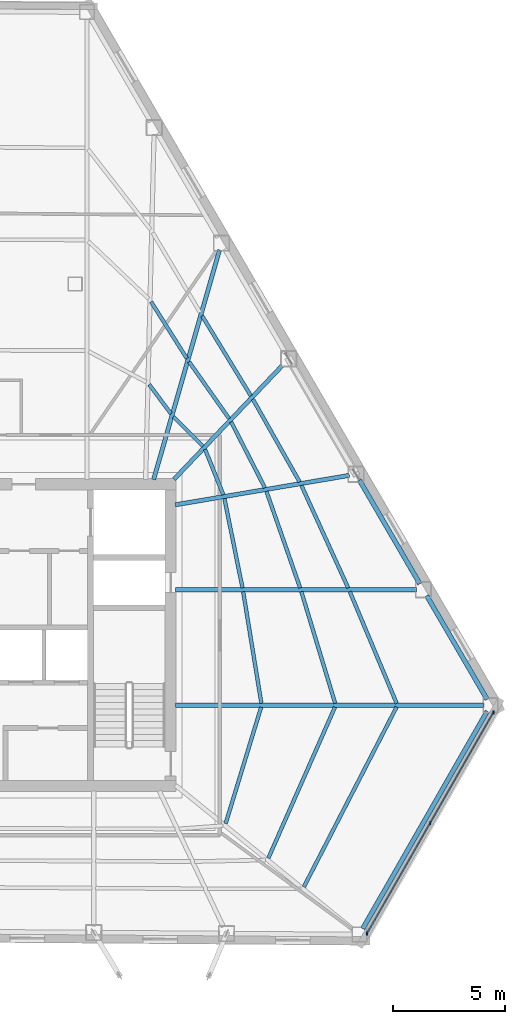
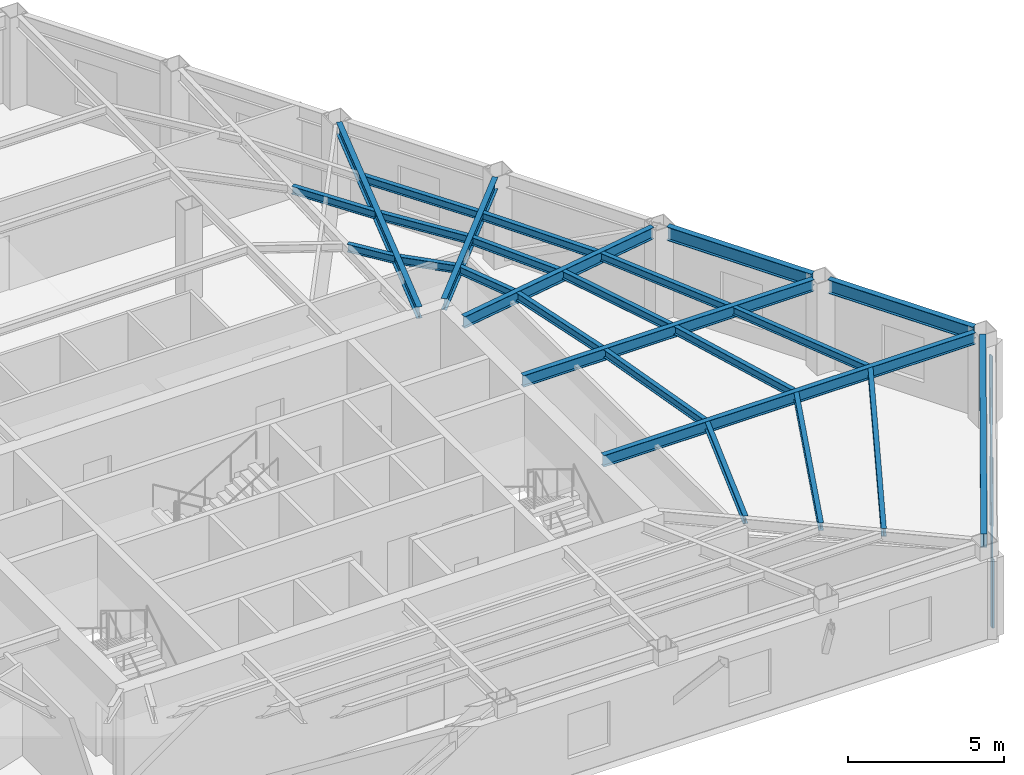
# One storey, part 3 of 13: 25 beams, 5 members, 1 element without a shape of its own.
"""IFC4 building model written with IfcOpenShell, lengths in metres."""

from ifc_helpers import new_model, si_unit, direction, frame, origin, origin_2d, place, context, subcontext, project, spatial, rectangle, i_section, extrude, material, layer, layer_set, material_profile, profile_set, type_object, element, aggregate, save


model = new_model("IFC4")

# Units and contexts
model_context = context("Model", 3, precision=1e-05, world=origin(), true_north=direction((0.0, 1.0)))
body_context = subcontext(model_context, "Body", "Model", "MODEL_VIEW")
ifc_project = project(units=[si_unit("LENGTHUNIT", "METRE"), si_unit("AREAUNIT", "SQUARE_METRE"), si_unit("VOLUMEUNIT", "CUBIC_METRE"), si_unit("PLANEANGLEUNIT", "RADIAN"), si_unit("MASSUNIT", "GRAM", prefix="KILO")], contexts=[model_context])

# Site, building, storey
site_placement = place(None, origin())
site = spatial("IfcSite", under=ifc_project, at=site_placement, CompositionType="ELEMENT")
building_placement = place(site_placement, origin())
building = spatial("IfcBuilding", under=site, at=building_placement, Name="Kavelnor Concourse Tower", CompositionType="ELEMENT")
storey_placement = place(building_placement, frame((0.0, 0.0, 116.300048828125)))
storey = spatial("IfcBuildingStorey", under=building, at=storey_placement, Name="L29", CompositionType="ELEMENT", Elevation=116.300048828125)

# Beams
ifc_material_1 = material(Name="Steel Grade 350", Category="steel")
ifc_material_profile_1 = material_profile(ifc_material_1, i_section(OverallWidth=0.166015625, OverallDepth=0.306884765625, WebThickness=0.006591796875, FlangeThickness=0.01171875, at=origin_2d()), Name="310UB46")
ifc_profile_set_1 = profile_set([ifc_material_profile_1], Name="Steel Grade 350")
beam_type_1 = type_object("IfcBeamType", Name="BM-JOIST-310", PredefinedType="JOIST", material=ifc_profile_set_1)
beam_1_placement = place(storey_placement, frame((50.22998046875, 7.6748046875, 3.446533203125), z_axis=(0.291695339911, 0.956511279951, 0.0), x_axis=(-0.956511279951, 0.291695339911, 0.0)))
element("IfcBeam", 1, at=beam_1_placement, inside=storey, type_object=beam_type_1, Name="L29 Secondary Composite Joist 08-1", PredefinedType="JOIST", context=body_context, shape_type="SweptSolid", body=[
    extrude(i_section(OverallWidth=0.166015625, OverallDepth=0.306884765625, WebThickness=0.006591796875, FlangeThickness=0.01171875, at=origin_2d()), origin(), (0.0, 0.0, 1.0), 5.44189453125),
])
beam_2_placement = place(storey_placement, frame((52.138916015625, 6.12939453125, 3.446533203125), z_axis=(0.403623922765, 0.914924985434, 0.0), x_axis=(-0.914924985434, 0.403623922765, 0.0)))
element("IfcBeam", 2, at=beam_2_placement, inside=storey, type_object=beam_type_1, Name="L29 Secondary Composite Joist 08-2", PredefinedType="JOIST", context=body_context, shape_type="SweptSolid", body=[
    extrude(i_section(OverallWidth=0.166015625, OverallDepth=0.306884765625, WebThickness=0.006591796875, FlangeThickness=0.01171875, at=origin_2d()), origin(), (0.0, 0.0, 1.0), 7.382568359375),
])
beam_3_placement = place(storey_placement, frame((53.72607421875, 4.84228515625, 3.446533203125), z_axis=(0.458250507142, 0.888823082905, 0.0), x_axis=(-0.888823082905, 0.458250507142, 0.0)))
element("IfcBeam", 3, at=beam_3_placement, inside=storey, type_object=beam_type_1, Name="L29 Secondary Composite Joist 08-3", PredefinedType="JOIST", context=body_context, shape_type="SweptSolid", body=[
    extrude(i_section(OverallWidth=0.166015625, OverallDepth=0.306884765625, WebThickness=0.006591796875, FlangeThickness=0.01171875, at=origin_2d()), origin(), (0.0, 0.0, 1.0), 9.050048828125),
])
beam_4_placement = place(storey_placement, frame((51.828857421875, 13.052978515625, 3.446533203125), z_axis=(-0.160882344714, 0.986973591926, 0.0), x_axis=(-0.986973591926, -0.160882344714, 0.0)))
element("IfcBeam", 4, at=beam_4_placement, inside=storey, type_object=beam_type_1, Name="L29 Secondary Composite Joist 09-1", PredefinedType="JOIST", context=body_context, shape_type="SweptSolid", body=[
    extrude(i_section(OverallWidth=0.166015625, OverallDepth=0.306884765625, WebThickness=0.006591796875, FlangeThickness=0.01171875, at=origin_2d()), origin(), (0.0, 0.0, 1.0), 5.056396484375),
])
beam_5_placement = place(storey_placement, frame((55.12890625, 13.050537109375, 3.446533203125), z_axis=(-0.289823040417, 0.957080250158, 0.0), x_axis=(-0.957080250158, -0.289823040417, 0.0)))
element("IfcBeam", 5, at=beam_5_placement, inside=storey, type_object=beam_type_1, Name="L29 Secondary Composite Joist 09-2", PredefinedType="JOIST", context=body_context, shape_type="SweptSolid", body=[
    extrude(i_section(OverallWidth=0.166015625, OverallDepth=0.306884765625, WebThickness=0.006591796875, FlangeThickness=0.01171875, at=origin_2d()), origin(), (0.0, 0.0, 1.0), 5.219482421875),
])
beam_6_placement = place(storey_placement, frame((57.879638671875, 13.04736328125, 3.446533203125), z_axis=(-0.386637758967, 0.922231664682, 0.0), x_axis=(-0.922231664682, -0.386637758967, 0.0)))
element("IfcBeam", 6, at=beam_6_placement, inside=storey, type_object=beam_type_1, Name="L29 Secondary Composite Joist 09-3", PredefinedType="JOIST", context=body_context, shape_type="SweptSolid", body=[
    extrude(i_section(OverallWidth=0.166015625, OverallDepth=0.306884765625, WebThickness=0.006591796875, FlangeThickness=0.01171875, at=origin_2d()), origin(), (0.0, 0.0, 1.0), 5.423583984375),
])
beam_7_placement = place(storey_placement, frame((50.9833984375, 18.218505859375, 3.446533203125), z_axis=(-0.198075057021, 0.980186855546, 0.0), x_axis=(-0.980186855546, -0.198075057021, 0.0)))
element("IfcBeam", 7, at=beam_7_placement, inside=storey, type_object=beam_type_1, Name="L29 Secondary Composite Joist 10-1", PredefinedType="JOIST", context=body_context, shape_type="SweptSolid", body=[
    extrude(i_section(OverallWidth=0.166015625, OverallDepth=0.306884765625, WebThickness=0.006591796875, FlangeThickness=0.01171875, at=origin_2d()), origin(), (0.0, 0.0, 1.0), 4.07373046875),
])
beam_8_placement = place(storey_placement, frame((53.56103515625, 18.215087890625, 3.446533203125), z_axis=(-0.329417562263, 0.944184340938, 0.0), x_axis=(-0.944184340938, -0.329417562263, 0.0)))
element("IfcBeam", 8, at=beam_8_placement, inside=storey, type_object=beam_type_1, Name="L29 Secondary Composite Joist 10-2", PredefinedType="JOIST", context=body_context, shape_type="SweptSolid", body=[
    extrude(i_section(OverallWidth=0.166015625, OverallDepth=0.306884765625, WebThickness=0.006591796875, FlangeThickness=0.01171875, at=origin_2d()), origin(), (0.0, 0.0, 1.0), 4.570556640625),
])
beam_9_placement = place(storey_placement, frame((55.711181640625, 18.212158203125, 3.446533203125), z_axis=(-0.415171205702, 0.909743298935, 0.0), x_axis=(-0.909743298935, -0.415171205702, 0.0)))
element("IfcBeam", 9, at=beam_9_placement, inside=storey, type_object=beam_type_1, Name="L29 Secondary Composite Joist 10-3", PredefinedType="JOIST", context=body_context, shape_type="SweptSolid", body=[
    extrude(i_section(OverallWidth=0.166015625, OverallDepth=0.306884765625, WebThickness=0.006591796875, FlangeThickness=0.01171875, at=origin_2d()), origin(), (0.0, 0.0, 1.0), 5.03955078125),
])
beam_10_placement = place(storey_placement, frame((50.125732421875, 22.38134765625, 3.446533203125), z_axis=(-0.372679654161, 0.927960061304, 0.0), x_axis=(-0.927960061304, -0.372679654161, 0.0)))
element("IfcBeam", 10, at=beam_10_placement, inside=storey, type_object=beam_type_1, Name="L29 Secondary Composite Joist 11-1", PredefinedType="JOIST", context=body_context, shape_type="SweptSolid", body=[
    extrude(i_section(OverallWidth=0.166015625, OverallDepth=0.306884765625, WebThickness=0.006591796875, FlangeThickness=0.01171875, at=origin_2d()), origin(), (0.0, 0.0, 1.0), 2.187255859375),
])
beam_11_placement = place(storey_placement, frame((51.985595703125, 22.69384765625, 3.446533203125), z_axis=(-0.456352650478, 0.889798998876, 0.0), x_axis=(-0.889798998876, -0.456352650478, 0.0)))
element("IfcBeam", 11, at=beam_11_placement, inside=storey, type_object=beam_type_1, Name="L29 Secondary Composite Joist 11-2", PredefinedType="JOIST", context=body_context, shape_type="SweptSolid", body=[
    extrude(i_section(OverallWidth=0.166015625, OverallDepth=0.306884765625, WebThickness=0.006591796875, FlangeThickness=0.01171875, at=origin_2d()), origin(), (0.0, 0.0, 1.0), 3.303955078125),
])
beam_12_placement = place(storey_placement, frame((53.5380859375, 22.955322265625, 3.446533203125), z_axis=(-0.492233424415, 0.870463242124, 0.0), x_axis=(-0.870463242124, -0.492233424415, 0.0)))
element("IfcBeam", 12, at=beam_12_placement, inside=storey, type_object=beam_type_1, Name="L29 Secondary Composite Joist 11-3", PredefinedType="JOIST", context=body_context, shape_type="SweptSolid", body=[
    extrude(i_section(OverallWidth=0.166015625, OverallDepth=0.306884765625, WebThickness=0.006591796875, FlangeThickness=0.01171875, at=origin_2d()), origin(), (0.0, 0.0, 1.0), 4.24658203125),
])
beam_13_placement = place(storey_placement, frame((49.21435546875, 24.556640625, 3.446533203125), z_axis=(-0.706778703115, 0.707434707109, 0.0), x_axis=(-0.707434707109, -0.706778703115, 0.0)))
element("IfcBeam", 13, at=beam_13_placement, inside=storey, type_object=beam_type_1, Name="L29 Secondary Composite Joist 12-1", PredefinedType="JOIST", context=body_context, shape_type="SweptSolid", body=[
    extrude(i_section(OverallWidth=0.166015625, OverallDepth=0.306884765625, WebThickness=0.006591796875, FlangeThickness=0.01171875, at=origin_2d()), origin(), (0.0, 0.0, 1.0), 1.86083984375),
])
beam_14_placement = place(storey_placement, frame((50.385986328125, 25.785888671875, 3.446533203125), z_axis=(-0.576131221245, 0.817357214385, 0.0), x_axis=(-0.817357214385, -0.576131221245, 0.0)))
element("IfcBeam", 14, at=beam_14_placement, inside=storey, type_object=beam_type_1, Name="L29 Secondary Composite Joist 12-2", PredefinedType="JOIST", context=body_context, shape_type="SweptSolid", body=[
    extrude(i_section(OverallWidth=0.166015625, OverallDepth=0.306884765625, WebThickness=0.006591796875, FlangeThickness=0.01171875, at=origin_2d()), origin(), (0.0, 0.0, 1.0), 3.109130859375),
])
beam_15_placement = place(storey_placement, frame((51.357421875, 26.805419921875, 3.446533203125), z_axis=(-0.520687318909, 0.853747454419, 0.0), x_axis=(-0.853747454419, -0.520687318909, 0.0)))
element("IfcBeam", 15, at=beam_15_placement, inside=storey, type_object=beam_type_1, Name="L29 Secondary Composite Joist 12-3", PredefinedType="JOIST", context=body_context, shape_type="SweptSolid", body=[
    extrude(i_section(OverallWidth=0.166015625, OverallDepth=0.306884765625, WebThickness=0.006591796875, FlangeThickness=0.01171875, at=origin_2d()), origin(), (0.0, 0.0, 1.0), 4.183349609375),
])
beam_16_placement = place(storey_placement, frame((47.782958984375, 26.00732421875, 3.446533203125), z_axis=(-0.597617691422, 0.801781201388, 0.0), x_axis=(-0.801781201388, -0.597617691422, 0.0)))
element("IfcBeam", 16, at=beam_16_placement, inside=storey, type_object=beam_type_1, Name="L29 Secondary Composite Joist 13-1", PredefinedType="JOIST", context=body_context, shape_type="SweptSolid", body=[
    extrude(i_section(OverallWidth=0.166015625, OverallDepth=0.306884765625, WebThickness=0.006591796875, FlangeThickness=0.01171875, at=origin_2d()), origin(), (0.0, 0.0, 1.0), 1.625),
])
beam_17_placement = place(storey_placement, frame((48.49609375, 28.47509765625, 3.446533203125), z_axis=(-0.533573227836, 0.845753871133, 0.0), x_axis=(-0.845753871133, -0.533573227836, 0.0)))
element("IfcBeam", 17, at=beam_17_placement, inside=storey, type_object=beam_type_1, Name="L29 Secondary Composite Joist 13-2", PredefinedType="JOIST", context=body_context, shape_type="SweptSolid", body=[
    extrude(i_section(OverallWidth=0.166015625, OverallDepth=0.306884765625, WebThickness=0.006591796875, FlangeThickness=0.01171875, at=origin_2d()), origin(), (0.0, 0.0, 1.0), 2.998291015625),
])
ifc_material_profile_2 = material_profile(ifc_material_1, i_section(OverallWidth=0.18994140625, OverallDepth=0.4541015625, WebThickness=0.008544921875, FlangeThickness=0.0126953125, at=origin_2d()), Name="460UB67")
ifc_profile_set_2 = profile_set([ifc_material_profile_2], Name="Steel Grade 350")
beam_type_2 = type_object("IfcBeamType", Name="BM-PRIMARY-460", PredefinedType="BEAM", material=ifc_profile_set_2)
beam_18_placement = place(storey_placement, frame((47.97998046875, 12.96533203125, 3.373046875), z_axis=(1.0, 0.0, 0.0), x_axis=(0.0, 1.0, 0.0)))
element("IfcBeam", 18, at=beam_18_placement, inside=storey, type_object=beam_type_2, Name="L29 Primary Floor Girder F2-B0", PredefinedType="BEAM", context=body_context, shape_type="SweptSolid", body=[
    extrude(i_section(OverallWidth=0.18994140625, OverallDepth=0.4541015625, WebThickness=0.008544921875, FlangeThickness=0.0126953125, at=origin_2d()), origin(), (0.0, 0.0, 1.0), 13.797119140625),
])
beam_19_placement = place(storey_placement, frame((47.97998046875, 18.131103515625, 3.373046875), z_axis=(1.0, 0.0, 0.0), x_axis=(0.0, 1.0, 0.0)))
element("IfcBeam", 19, at=beam_19_placement, inside=storey, type_object=beam_type_2, Name="L29 Primary Floor Girder F2-B1", PredefinedType="BEAM", context=body_context, shape_type="SweptSolid", body=[
    extrude(i_section(OverallWidth=0.18994140625, OverallDepth=0.4541015625, WebThickness=0.008544921875, FlangeThickness=0.0126953125, at=origin_2d()), origin(), (0.0, 0.0, 1.0), 10.7890625),
])
beam_20_placement = place(storey_placement, frame((47.980712890625, 21.93017578125, 3.373046875), z_axis=(0.985989577141, 0.166806935617, 0.0), x_axis=(-0.166806935617, 0.985989577141, 0.0)))
element("IfcBeam", 20, at=beam_20_placement, inside=storey, type_object=beam_type_2, Name="L29 Primary Floor Girder F2-B2", PredefinedType="BEAM", context=body_context, shape_type="SweptSolid", body=[
    extrude(i_section(OverallWidth=0.18994140625, OverallDepth=0.4541015625, WebThickness=0.008544921875, FlangeThickness=0.0126953125, at=origin_2d()), origin(), (0.0, 0.0, 1.0), 7.890380859375),
])
beam_21_placement = place(storey_placement, frame((47.924072265625, 23.071044921875, 3.373046875), z_axis=(0.689199500593, 0.724571630953, 0.0), x_axis=(-0.724571630953, 0.689199500593, 0.0)))
element("IfcBeam", 21, at=beam_21_placement, inside=storey, type_object=beam_type_2, Name="L29 Primary Floor Girder F2-B3", PredefinedType="BEAM", context=body_context, shape_type="SweptSolid", body=[
    extrude(i_section(OverallWidth=0.18994140625, OverallDepth=0.4541015625, WebThickness=0.008544921875, FlangeThickness=0.0126953125, at=origin_2d()), origin(), (0.0, 0.0, 1.0), 7.012451171875),
])
beam_22_placement = place(storey_placement, frame((47.010986328125, 23.0615234375, 3.373046875), z_axis=(0.275946632591, 0.961172958401, 0.0), x_axis=(-0.961172958401, 0.275946632591, 0.0)))
element("IfcBeam", 22, at=beam_22_placement, inside=storey, type_object=beam_type_2, Name="L29 Primary Floor Girder F2-B4", PredefinedType="BEAM", context=body_context, shape_type="SweptSolid", body=[
    extrude(i_section(OverallWidth=0.18994140625, OverallDepth=0.4541015625, WebThickness=0.008544921875, FlangeThickness=0.0126953125, at=origin_2d()), origin(), (0.0, 0.0, 1.0), 10.6806640625),
])
ifc_material_profile_3 = material_profile(ifc_material_1, i_section(OverallWidth=0.208984375, OverallDepth=0.532958984375, WebThickness=0.01025390625, FlangeThickness=0.015625, at=origin_2d()), Name="530UB92")
ifc_profile_set_3 = profile_set([ifc_material_profile_3], Name="Steel Grade 350")
beam_type_3 = type_object("IfcBeamType", Name="BM-SPANDREL-Z2", PredefinedType="SPANDREL", material=ifc_profile_set_3)
for number, where, z_axis, x_axis, name in (
    (23, (61.923583984375, 13.22900390625, 3.33349609375), (-0.503180839559, 0.864181139982, 0.0), (-0.864181139982, -0.503180839559, 0.0), "L29 Perimeter Tube Spandrel Beam F2-B0"),
    (24, (58.91552734375, 18.394775390625, 3.33349609375), (-0.503180839559, 0.864181139982, 0.0), (-0.864181139982, -0.503180839559, 0.0), "L29 Perimeter Tube Spandrel Beam F2-B1"),
):
    element("IfcBeam", number, at=place(storey_placement, frame(where, z_axis=z_axis, x_axis=x_axis)), inside=storey, type_object=beam_type_3, Name=name, PredefinedType="SPANDREL", context=body_context, shape_type="SweptSolid", body=[
        extrude(i_section(OverallWidth=0.208984375, OverallDepth=0.532958984375, WebThickness=0.01025390625, FlangeThickness=0.015625, at=origin_2d()), origin(), (0.0, 0.0, 1.0), 5.36767578125),
    ])
beam_23_placement = place(storey_placement, frame((56.36083984375, 2.97802734375, 3.33349609375), z_axis=(0.496753716854, 0.867891551285, 0.0), x_axis=(-0.867891551285, 0.496753716854, 0.0)))
element("IfcBeam", 25, at=beam_23_placement, inside=storey, type_object=beam_type_3, Name="L29 Chamfer Facet Spandrel Beam C2", PredefinedType="SPANDREL", context=body_context, shape_type="SweptSolid", body=[
    extrude(i_section(OverallWidth=0.208984375, OverallDepth=0.532958984375, WebThickness=0.01025390625, FlangeThickness=0.015625, at=origin_2d()), origin(), (0.0, 0.0, 1.0), 11.20263671875),
])

# Curtain wall, members
ifc_material_2 = material(Name="Anodised aluminium 6063-T6", Category="aluminium")
ifc_layer = layer(ifc_material_2, 0.155029296875, Name="Anodised aluminium 6063-T6")
ifc_layer_set = layer_set([ifc_layer], Name="Anodised aluminium 6063-T6")
curtain_wall_type = type_object("IfcCurtainWallType", Name="CW-CORNER-ACCENT", PredefinedType="NOTDEFINED", material=ifc_layer_set)
curtain_wall_placement = place(storey_placement, origin())
curtain_wall = element("IfcCurtainWall", 26, at=curtain_wall_placement, inside=storey, type_object=curtain_wall_type, Name="L29 Chamfer Corner Glazed Accent C2", PredefinedType="NOTDEFINED")
ifc_material_profile_4 = material_profile(ifc_material_2, rectangle(XDim=0.06005859375, YDim=0.155029296875, at=origin_2d()), Name="AL-MULL 60x155")
ifc_profile_set_4 = profile_set([ifc_material_profile_4], Name="Anodised aluminium 6063-T6")
member_type_1 = type_object("IfcMemberType", Name="CW-CORNER-ACCENT-MULL", PredefinedType="MULLION", material=ifc_profile_set_4)
member_1_placement = place(storey_placement, frame((62.20068359375, 12.6376953125, 0.0), z_axis=(0.0, 0.0, 1.0), x_axis=(1.0, 0.0, 0.0)))
member_1 = element("IfcMember", 27, at=member_1_placement, type_object=member_type_1, Name="L29 Chamfer Corner Glazed Accent C2 Mullion 0", PredefinedType="MULLION", context=body_context, shape_type="SweptSolid", body=[
    extrude(rectangle(XDim=0.06005859375, YDim=0.155029296875, at=origin_2d()), origin(), (0.0, 0.0, 1.0), 2.699951171875),
])
member_2_placement = place(storey_placement, frame((59.376708984375, 7.70361328125, 0.0), z_axis=(0.0, 0.0, 1.0), x_axis=(1.0, 0.0, 0.0)))
member_2 = element("IfcMember", 28, at=member_2_placement, type_object=member_type_1, Name="L29 Chamfer Corner Glazed Accent C2 Mullion 1", PredefinedType="MULLION", context=body_context, shape_type="SweptSolid", body=[
    extrude(rectangle(XDim=0.06005859375, YDim=0.155029296875, at=origin_2d()), origin(), (0.0, 0.0, 1.0), 2.699951171875),
])
member_3_placement = place(storey_placement, frame((56.552490234375, 2.76953125, 0.0), z_axis=(0.0, 0.0, 1.0), x_axis=(1.0, 0.0, 0.0)))
member_3 = element("IfcMember", 29, at=member_3_placement, type_object=member_type_1, Name="L29 Chamfer Corner Glazed Accent C2 Mullion 2", PredefinedType="MULLION", context=body_context, shape_type="SweptSolid", body=[
    extrude(rectangle(XDim=0.06005859375, YDim=0.155029296875, at=origin_2d()), origin(), (0.0, 0.0, 1.0), 2.699951171875),
])
ifc_material_profile_5 = material_profile(ifc_material_2, rectangle(XDim=0.06005859375, YDim=0.1298828125, at=origin_2d()), Name="AL-TRAN 60x130")
ifc_profile_set_5 = profile_set([ifc_material_profile_5], Name="Anodised aluminium 6063-T6")
member_type_2 = type_object("IfcMemberType", Name="CW-CORNER-ACCENT-TRAN", PredefinedType="USERDEFINED", material=ifc_profile_set_5)
member_4_placement = place(storey_placement, frame((62.20068359375, 12.6376953125, 0.06005859375), z_axis=(-0.496751588777, -0.867892769326, 0.0), x_axis=(0.867892769326, -0.496751588777, 0.0)))
member_4 = element("IfcMember", 30, at=member_4_placement, type_object=member_type_2, Name="L29 Chamfer Corner Glazed Accent C2 Transom 0-BOT", ObjectType="TRANSOM", PredefinedType="USERDEFINED", context=body_context, shape_type="SweptSolid", body=[
    extrude(rectangle(XDim=0.06005859375, YDim=0.1298828125, at=origin_2d()), origin(), (0.0, 0.0, 1.0), 11.370361328125),
])
member_5_placement = place(storey_placement, frame((62.20068359375, 12.6376953125, 2.639892578125), z_axis=(-0.496751588777, -0.867892769326, 0.0), x_axis=(0.867892769326, -0.496751588777, 0.0)))
member_5 = element("IfcMember", 31, at=member_5_placement, type_object=member_type_2, Name="L29 Chamfer Corner Glazed Accent C2 Transom 0-TOP", ObjectType="TRANSOM", PredefinedType="USERDEFINED", context=body_context, shape_type="SweptSolid", body=[
    extrude(rectangle(XDim=0.06005859375, YDim=0.1298828125, at=origin_2d()), origin(), (0.0, 0.0, 1.0), 11.370361328125),
])
aggregate(curtain_wall, [member_1, member_2, member_3, member_4, member_5])

save(model, "model.ifc")
